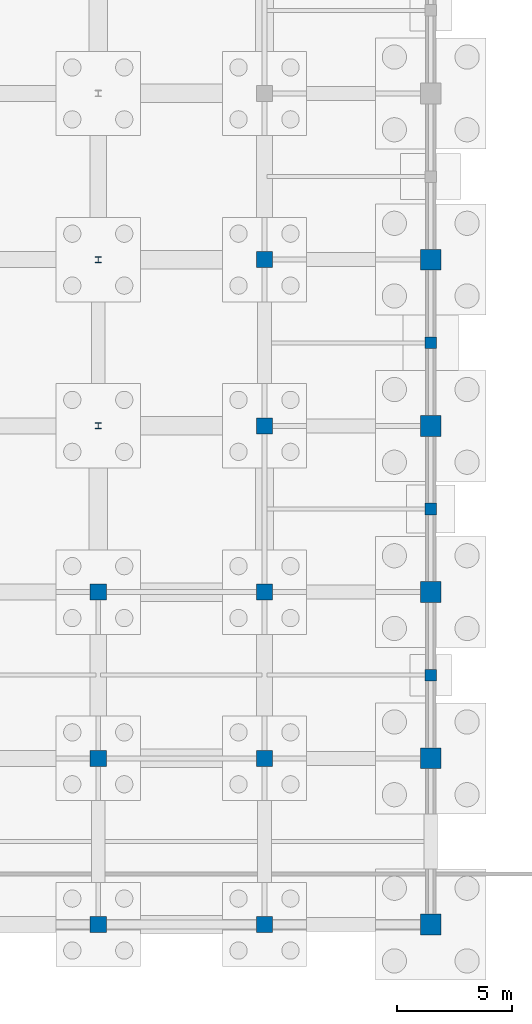
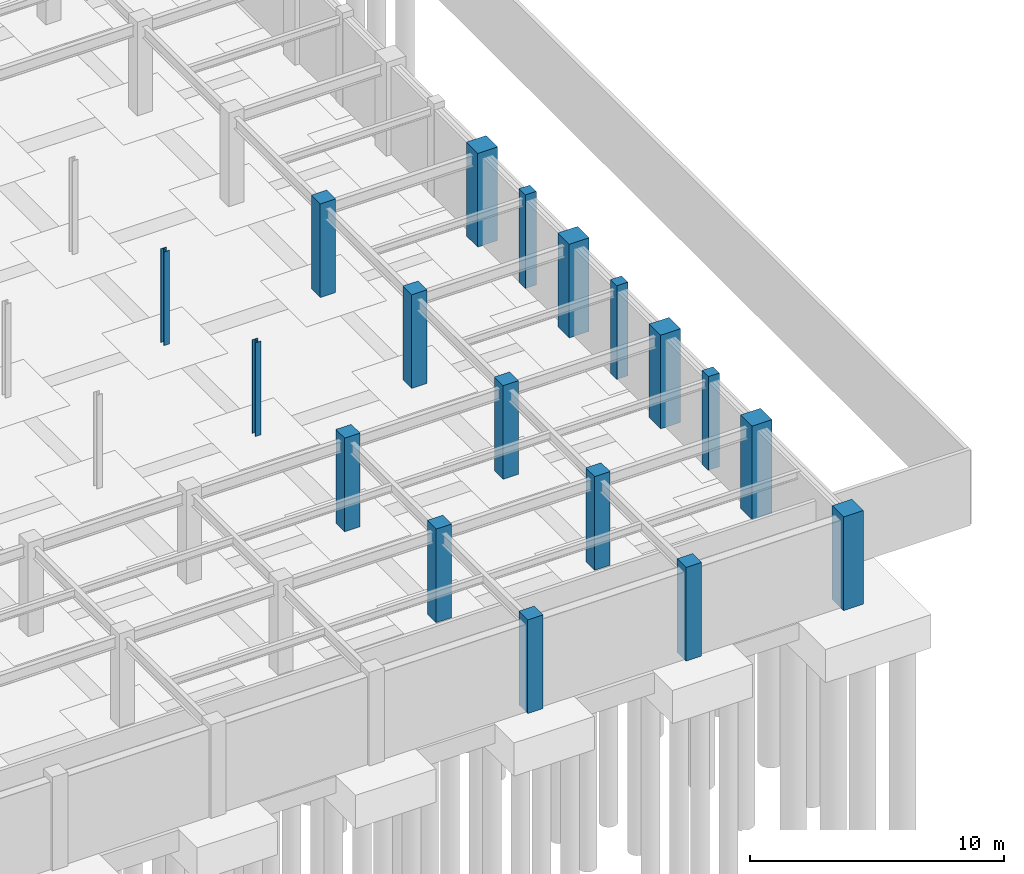
# One storey, part 14 of 48: 18 columns.
"""IFC4 building model written with IfcOpenShell, lengths in metres."""

from ifc_helpers import new_model, si_unit, direction, frame, origin, origin_2d, place, context, subcontext, project, spatial, rectangle, i_section, extrude, material, material_profile, profile_set, type_object, element, save


model = new_model("IFC4")

# Units and contexts
model_context = context("Model", 3, precision=1e-05, world=origin(), true_north=direction((0.0, 1.0)))
body_context = subcontext(model_context, "Body", "Model", "MODEL_VIEW")
ifc_project = project(units=[si_unit("LENGTHUNIT", "METRE"), si_unit("AREAUNIT", "SQUARE_METRE"), si_unit("VOLUMEUNIT", "CUBIC_METRE"), si_unit("PLANEANGLEUNIT", "RADIAN"), si_unit("MASSUNIT", "GRAM", prefix="KILO")], contexts=[model_context])

# Site, building, storey
site_placement = place(None, origin())
site = spatial("IfcSite", under=ifc_project, at=site_placement, CompositionType="ELEMENT")
building_placement = place(site_placement, origin())
building = spatial("IfcBuilding", under=site, at=building_placement, Name="Carrowvane Square Congress Hotel", CompositionType="ELEMENT")
storey_placement = place(building_placement, frame((0.0, 0.0, -4.5)))
storey = spatial("IfcBuildingStorey", under=building, at=storey_placement, Name="B01", CompositionType="ELEMENT", Elevation=-4.5)

# Columns
ifc_material_1 = material(Name="Concrete C40/50", Category="concrete")
ifc_material_profile_1 = material_profile(ifc_material_1, rectangle(XDim=0.699951171875, YDim=0.699951171875, at=origin_2d()), Name="RC 700x700")
ifc_profile_set_1 = profile_set([ifc_material_profile_1], Name="Concrete C40/50")
column_type_1 = type_object("IfcColumnType", Name="COL-RC-700", PredefinedType="COLUMN", material=ifc_profile_set_1)
for number, where, z_axis, x_axis, name in (
    (1, (47.60009765625, 5.39990234375, 0.0), (0.0, 0.0, 1.0), (1.0, 0.0, 0.0), "B01 column 6/A"),
    (2, (47.60009765625, 12.60009765625, 0.0), (0.0, 0.0, 1.0), (1.0, 0.0, 0.0), "B01 column 6/B"),
    (3, (47.60009765625, 19.800048828125, 0.0), (0.0, 0.0, 1.0), (1.0, 0.0, 0.0), "B01 column 6/C"),
    (4, (54.800048828125, 5.39990234375, 0.0), (0.0, 0.0, 1.0), (1.0, 0.0, 0.0), "B01 column 7/A"),
    (5, (54.800048828125, 12.60009765625, 0.0), (0.0, 0.0, 1.0), (1.0, 0.0, 0.0), "B01 column 7/B"),
    (6, (54.800048828125, 19.800048828125, 0.0), (0.0, 0.0, 1.0), (1.0, 0.0, 0.0), "B01 column 7/C"),
    (7, (54.800048828125, 27.0, 0.0), (0.0, 0.0, 1.0), (1.0, 0.0, 0.0), "B01 column 7/D"),
    (8, (54.800048828125, 34.199951171875, 0.0), (0.0, 0.0, 1.0), (1.0, 0.0, 0.0), "B01 column 7/E"),
):
    element("IfcColumn", number, at=place(storey_placement, frame(where, z_axis=z_axis, x_axis=x_axis)), inside=storey, type_object=column_type_1, Name=name, PredefinedType="COLUMN", context=body_context, shape_type="SweptSolid", body=[
        extrude(rectangle(XDim=0.699951171875, YDim=0.699951171875, at=origin_2d()), origin(), (0.0, 0.0, 1.0), 4.5),
    ])
ifc_material_2 = material(Name="Steel S355", Category="steel")
ifc_material_profile_2 = material_profile(ifc_material_2, i_section(OverallWidth=0.25634765625, OverallDepth=0.26025390625, WebThickness=0.01025390625, FlangeThickness=0.017333984375, FilletRadius=0.0126953125, at=origin_2d()), Name="UKC 254x254x89")
ifc_profile_set_2 = profile_set([ifc_material_profile_2], Name="Steel S355")
column_type_2 = type_object("IfcColumnType", Name="COL-ST-UKC254", PredefinedType="COLUMN", material=ifc_profile_set_2)
for number, where, z_axis, x_axis, name in (
    (9, (47.60009765625, 27.0, 0.0), (0.0, 0.0, 1.0), (1.0, 0.0, 0.0), "B01 column RK47/RY27"),
    (10, (47.60009765625, 34.199951171875, 0.0), (0.0, 0.0, 1.0), (1.0, 0.0, 0.0), "B01 column RK47/RY34"),
):
    element("IfcColumn", number, at=place(storey_placement, frame(where, z_axis=z_axis, x_axis=x_axis)), inside=storey, type_object=column_type_2, Name=name, PredefinedType="COLUMN", context=body_context, shape_type="SweptSolid", body=[
        extrude(i_section(OverallWidth=0.25634765625, OverallDepth=0.26025390625, WebThickness=0.01025390625, FlangeThickness=0.017333984375, FilletRadius=0.0126953125, at=origin_2d()), origin(), (0.0, 0.0, 1.0), 4.5),
    ])
ifc_material_3 = material(Name="Concrete C40/50", Category="concrete")
ifc_material_profile_3 = material_profile(ifc_material_3, rectangle(XDim=0.89990234375, YDim=0.89990234375, at=origin_2d()), Name="RC 900x900")
ifc_profile_set_3 = profile_set([ifc_material_profile_3], Name="Concrete C40/50")
column_type_3 = type_object("IfcColumnType", Name="MCOL-RC-900", PredefinedType="COLUMN", material=ifc_profile_set_3)
for number, where, z_axis, x_axis, name in (
    (11, (62.0, 5.39990234375, 0.0), (0.0, 0.0, 1.0), (1.0, 0.0, 0.0), "B01 column 8/A"),
    (12, (62.0, 12.60009765625, 0.0), (0.0, 0.0, 1.0), (1.0, 0.0, 0.0), "B01 column 8/B"),
    (13, (62.0, 19.800048828125, 0.0), (0.0, 0.0, 1.0), (1.0, 0.0, 0.0), "B01 column 8/C"),
    (14, (62.0, 27.0, 0.0), (0.0, 0.0, 1.0), (1.0, 0.0, 0.0), "B01 column 8/D"),
    (15, (62.0, 34.199951171875, 0.0), (0.0, 0.0, 1.0), (1.0, 0.0, 0.0), "B01 column 8/E"),
):
    element("IfcColumn", number, at=place(storey_placement, frame(where, z_axis=z_axis, x_axis=x_axis)), inside=storey, type_object=column_type_3, Name=name, PredefinedType="COLUMN", context=body_context, shape_type="SweptSolid", body=[
        extrude(rectangle(XDim=0.89990234375, YDim=0.89990234375, at=origin_2d()), origin(), (0.0, 0.0, 1.0), 4.5),
    ])
ifc_material_4 = material(Name="Precast concrete C40/50", Category="concrete")
ifc_material_profile_4 = material_profile(ifc_material_4, rectangle(XDim=0.5, YDim=0.5, at=origin_2d()), Name="RC 500x500")
ifc_profile_set_4 = profile_set([ifc_material_profile_4], Name="Precast concrete C40/50")
column_type_4 = type_object("IfcColumnType", Name="PIL-PC-500", PredefinedType="PILASTER", material=ifc_profile_set_4)
for number, where, z_axis, x_axis, name in (
    (16, (62.0, 16.199951171875, 0.0), (0.0, 0.0, 1.0), (1.0, 0.0, 0.0), "B01 colonnade pilaster foundation 1"),
    (17, (62.0, 23.39990234375, 0.0), (0.0, 0.0, 1.0), (1.0, 0.0, 0.0), "B01 colonnade pilaster foundation 2"),
    (18, (62.0, 30.60009765625, 0.0), (0.0, 0.0, 1.0), (1.0, 0.0, 0.0), "B01 colonnade pilaster foundation 3"),
):
    element("IfcColumn", number, at=place(storey_placement, frame(where, z_axis=z_axis, x_axis=x_axis)), inside=storey, type_object=column_type_4, Name=name, PredefinedType="PILASTER", context=body_context, shape_type="SweptSolid", body=[
        extrude(rectangle(XDim=0.5, YDim=0.5, at=origin_2d()), origin(), (0.0, 0.0, 1.0), 4.5),
    ])

save(model, "model.ifc")
